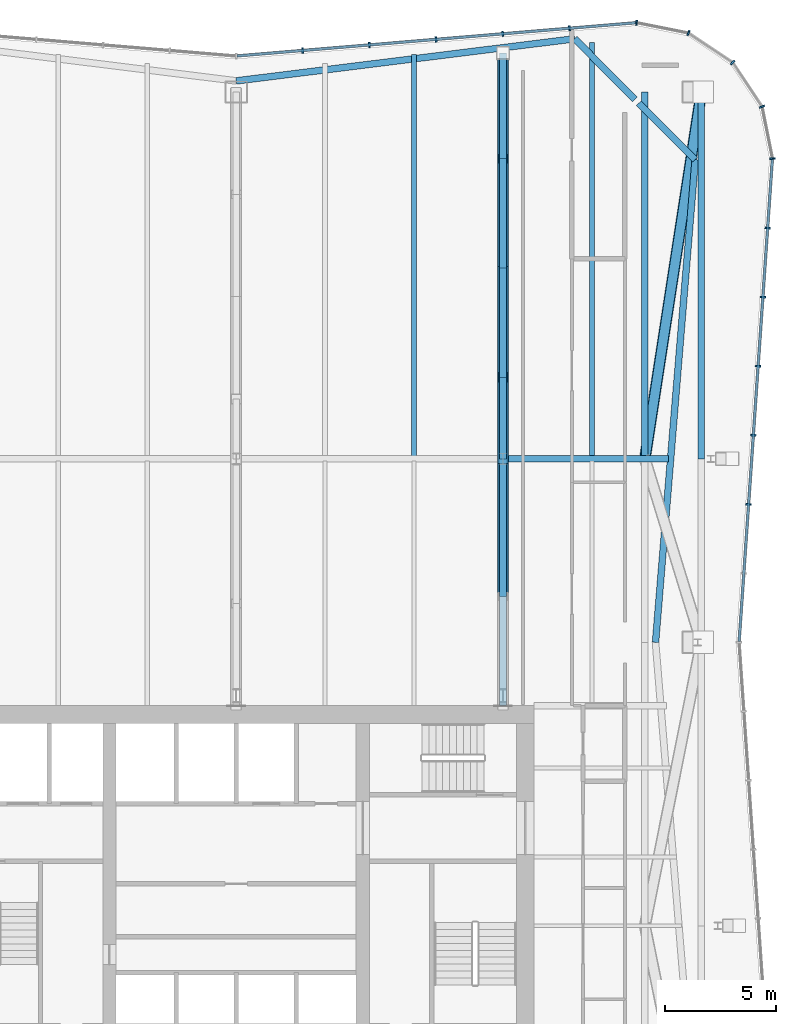
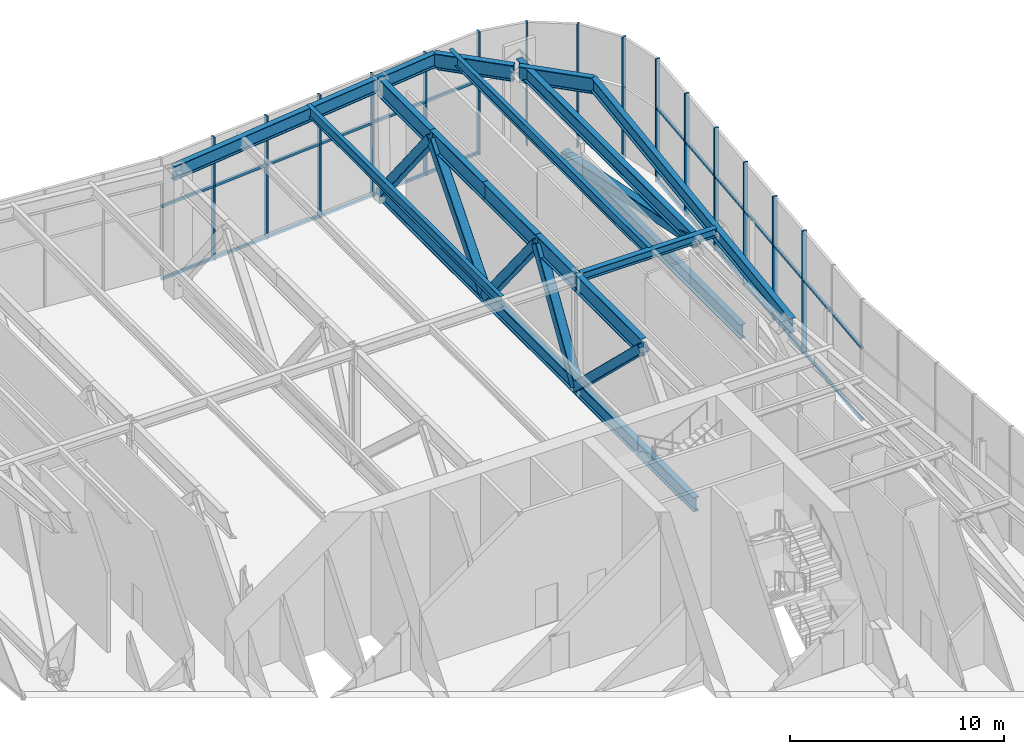
# One storey, part 9 of 17: 33 members, 7 beams, 3 elements without a shape of their own.
"""IFC4 building model written with IfcOpenShell, lengths in metres."""

from ifc_helpers import new_model, si_unit, direction, frame, origin, origin_2d, place, context, subcontext, project, spatial, rectangle, hollow_rectangle, i_section, extrude, material, material_profile, profile_set, type_object, element, aggregate, save


model = new_model("IFC4")

# Units and contexts
model_context = context("Model", 3, precision=1e-05, world=origin(), true_north=direction((0.0, 1.0)))
body_context = subcontext(model_context, "Body", "Model", "MODEL_VIEW")
ifc_project = project(units=[si_unit("LENGTHUNIT", "METRE"), si_unit("AREAUNIT", "SQUARE_METRE"), si_unit("VOLUMEUNIT", "CUBIC_METRE"), si_unit("PLANEANGLEUNIT", "RADIAN"), si_unit("MASSUNIT", "GRAM", prefix="KILO")], contexts=[model_context])

# Site, building, storey
site_placement = place(None, origin())
site = spatial("IfcSite", under=ifc_project, at=site_placement, CompositionType="ELEMENT")
building_placement = place(site_placement, origin())
building = spatial("IfcBuilding", under=site, at=building_placement, Name="Verdant Reach Tower", CompositionType="ELEMENT")
storey_placement = place(building_placement, frame((0.0, 0.0, 282.0)))
storey = spatial("IfcBuildingStorey", under=building, at=storey_placement, Name="L65 Plant", CompositionType="ELEMENT", Elevation=282.0)

# Curtain wall, members
ifc_material_1 = material(Name="Anodised aluminium", Category="aluminium")
curtain_wall_type = type_object("IfcCurtainWallType", Name="EN-CW SYSTEM PLANT", PredefinedType="NOTDEFINED", material=ifc_material_1)
curtain_wall_1_placement = place(storey_placement, origin())
curtain_wall_1 = element("IfcCurtainWall", 1, at=curtain_wall_1_placement, inside=storey, type_object=curtain_wall_type, Name="Curtain wall east, L65", PredefinedType="NOTDEFINED")
ifc_material_profile_1 = material_profile(ifc_material_1, rectangle(XDim=0.238037109375, YDim=0.080078125, at=origin_2d()), Name="Mullion 80x240")
ifc_profile_set_1 = profile_set([ifc_material_profile_1], Name="Anodised aluminium")
member_type_1 = type_object("IfcMemberType", Name="EN-MULLION PLANT", PredefinedType="MULLION", material=ifc_profile_set_1)
member_1_placement = place(storey_placement, frame((23.04736328125, 47.4560546875, -0.35009765625), z_axis=(0.0, 0.0, 1.0), x_axis=(0.997630328423, -0.068802091615, 0.0)))
member_1 = element("IfcMember", 2, at=member_1_placement, type_object=member_type_1, Name="Mullion east face part 2 3, L65", PredefinedType="MULLION", context=body_context, shape_type="SweptSolid", body=[
    extrude(rectangle(XDim=0.238037109375, YDim=0.080078125, at=origin_2d()), origin(), (0.0, 0.0, 1.0), 7.0),
])
member_2_placement = place(storey_placement, frame((23.261474609375, 50.563232421875, -0.35009765625), z_axis=(0.0, 0.0, 1.0), x_axis=(0.997630328423, -0.068802091615, 0.0)))
member_2 = element("IfcMember", 3, at=member_2_placement, type_object=member_type_1, Name="Mullion east face part 2 4, L65", PredefinedType="MULLION", context=body_context, shape_type="SweptSolid", body=[
    extrude(rectangle(XDim=0.238037109375, YDim=0.080078125, at=origin_2d()), origin(), (0.0, 0.0, 1.0), 7.0),
])
member_3_placement = place(storey_placement, frame((23.475830078125, 53.67041015625, -0.35009765625), z_axis=(0.0, 0.0, 1.0), x_axis=(0.997630328423, -0.068802091615, 0.0)))
member_3 = element("IfcMember", 4, at=member_3_placement, type_object=member_type_1, Name="Mullion east face part 2 5, L65", PredefinedType="MULLION", context=body_context, shape_type="SweptSolid", body=[
    extrude(rectangle(XDim=0.238037109375, YDim=0.080078125, at=origin_2d()), origin(), (0.0, 0.0, 1.0), 7.0),
])
member_4_placement = place(storey_placement, frame((23.690185546875, 56.777587890625, -0.35009765625), z_axis=(0.0, 0.0, 1.0), x_axis=(0.997630328423, -0.068802091615, 0.0)))
member_4 = element("IfcMember", 5, at=member_4_placement, type_object=member_type_1, Name="Mullion east face part 2 6, L65", PredefinedType="MULLION", context=body_context, shape_type="SweptSolid", body=[
    extrude(rectangle(XDim=0.238037109375, YDim=0.080078125, at=origin_2d()), origin(), (0.0, 0.0, 1.0), 7.0),
])
member_5_placement = place(storey_placement, frame((23.904541015625, 59.884765625, -0.35009765625), z_axis=(0.0, 0.0, 1.0), x_axis=(0.997630328423, -0.068802091615, 0.0)))
member_5 = element("IfcMember", 6, at=member_5_placement, type_object=member_type_1, Name="Mullion east face part 2 7, L65", PredefinedType="MULLION", context=body_context, shape_type="SweptSolid", body=[
    extrude(rectangle(XDim=0.238037109375, YDim=0.080078125, at=origin_2d()), origin(), (0.0, 0.0, 1.0), 7.0),
])

curtain_wall_2_placement = place(storey_placement, origin())
curtain_wall_2 = element("IfcCurtainWall", 7, at=curtain_wall_2_placement, inside=storey, type_object=curtain_wall_type, Name="Curtain wall north-east corner, L65", PredefinedType="NOTDEFINED")
member_6_placement = place(storey_placement, frame((24.11865234375, 63.007568359375, -0.35009765625), z_axis=(0.0, 0.0, 1.0), x_axis=(0.997969180898, 0.063698618332, 0.0)))
member_6 = element("IfcMember", 8, at=member_6_placement, type_object=member_type_1, Name="Mullion north-east corner 1, L65", PredefinedType="MULLION", context=body_context, shape_type="SweptSolid", body=[
    extrude(rectangle(XDim=0.238037109375, YDim=0.080078125, at=origin_2d()), origin(), (0.0, 0.0, 1.0), 7.0),
])
member_7_placement = place(storey_placement, frame((23.6533203125, 65.341552734375, -0.35009765625), z_axis=(0.0, 0.0, 1.0), x_axis=(0.923875215753, 0.382693853776, 0.0)))
member_7 = element("IfcMember", 9, at=member_7_placement, type_object=member_type_1, Name="Mullion north-east corner 2, L65", PredefinedType="MULLION", context=body_context, shape_type="SweptSolid", body=[
    extrude(rectangle(XDim=0.238037109375, YDim=0.080078125, at=origin_2d()), origin(), (0.0, 0.0, 1.0), 7.0),
])
member_8_placement = place(storey_placement, frame((22.32666015625, 67.32666015625, -0.35009765625), z_axis=(0.0, 0.0, 1.0), x_axis=(0.707106781187, 0.707106781187, 0.0)))
member_8 = element("IfcMember", 10, at=member_8_placement, type_object=member_type_1, Name="Mullion north-east corner 3, L65", PredefinedType="MULLION", context=body_context, shape_type="SweptSolid", body=[
    extrude(rectangle(XDim=0.238037109375, YDim=0.080078125, at=origin_2d()), origin(), (0.0, 0.0, 1.0), 7.0),
])
member_9_placement = place(storey_placement, frame((20.341552734375, 68.6533203125, -0.35009765625), z_axis=(0.0, 0.0, 1.0), x_axis=(0.382693853776, 0.923875215753, 0.0)))
member_9 = element("IfcMember", 11, at=member_9_placement, type_object=member_type_1, Name="Mullion north-east corner 4, L65", PredefinedType="MULLION", context=body_context, shape_type="SweptSolid", body=[
    extrude(rectangle(XDim=0.238037109375, YDim=0.080078125, at=origin_2d()), origin(), (0.0, 0.0, 1.0), 7.0),
])
aggregate(curtain_wall_2, [member_6, member_7, member_8, member_9])

curtain_wall_3_placement = place(storey_placement, origin())
curtain_wall_3 = element("IfcCurtainWall", 12, at=curtain_wall_3_placement, inside=storey, type_object=curtain_wall_type, Name="Curtain wall north, L65", PredefinedType="NOTDEFINED")
member_10_placement = place(storey_placement, frame((18.0068359375, 69.118896484375, -0.35009765625), z_axis=(0.0, 0.0, 1.0), x_axis=(0.056569187765, 0.998398681387, 0.0)))
member_10 = element("IfcMember", 13, at=member_10_placement, type_object=member_type_1, Name="Mullion north face part 1 1, L65", PredefinedType="MULLION", context=body_context, shape_type="SweptSolid", body=[
    extrude(rectangle(XDim=0.238037109375, YDim=0.080078125, at=origin_2d()), origin(), (0.0, 0.0, 1.0), 7.0),
])
member_11_placement = place(storey_placement, frame((14.990234375, 68.86865234375, -0.35009765625), z_axis=(0.0, 0.0, 1.0), x_axis=(-0.083045479859, 0.996545758244, 0.0)))
member_11 = element("IfcMember", 14, at=member_11_placement, type_object=member_type_1, Name="Mullion north face part 1 2, L65", PredefinedType="MULLION", context=body_context, shape_type="SweptSolid", body=[
    extrude(rectangle(XDim=0.238037109375, YDim=0.080078125, at=origin_2d()), origin(), (0.0, 0.0, 1.0), 7.0),
])
member_12_placement = place(storey_placement, frame((11.990234375, 68.61865234375, -0.35009765625), z_axis=(0.0, 0.0, 1.0), x_axis=(-0.083045479859, 0.996545758244, 0.0)))
member_12 = element("IfcMember", 15, at=member_12_placement, type_object=member_type_1, Name="Mullion north face part 1 3, L65", PredefinedType="MULLION", context=body_context, shape_type="SweptSolid", body=[
    extrude(rectangle(XDim=0.238037109375, YDim=0.080078125, at=origin_2d()), origin(), (0.0, 0.0, 1.0), 7.0),
])
member_13_placement = place(storey_placement, frame((8.990234375, 68.36865234375, -0.35009765625), z_axis=(0.0, 0.0, 1.0), x_axis=(-0.083045479859, 0.996545758244, 0.0)))
member_13 = element("IfcMember", 16, at=member_13_placement, type_object=member_type_1, Name="Mullion north face part 1 4, L65", PredefinedType="MULLION", context=body_context, shape_type="SweptSolid", body=[
    extrude(rectangle(XDim=0.238037109375, YDim=0.080078125, at=origin_2d()), origin(), (0.0, 0.0, 1.0), 7.0),
])
member_14_placement = place(storey_placement, frame((5.990234375, 68.11865234375, -0.35009765625), z_axis=(0.0, 0.0, 1.0), x_axis=(-0.083045479859, 0.996545758244, 0.0)))
member_14 = element("IfcMember", 17, at=member_14_placement, type_object=member_type_1, Name="Mullion north face part 1 5, L65", PredefinedType="MULLION", context=body_context, shape_type="SweptSolid", body=[
    extrude(rectangle(XDim=0.238037109375, YDim=0.080078125, at=origin_2d()), origin(), (0.0, 0.0, 1.0), 7.0),
])
member_15_placement = place(storey_placement, frame((2.990234375, 67.86865234375, -0.35009765625), z_axis=(0.0, 0.0, 1.0), x_axis=(-0.083045479859, 0.996545758244, 0.0)))
member_15 = element("IfcMember", 18, at=member_15_placement, type_object=member_type_1, Name="Mullion north face part 1 6, L65", PredefinedType="MULLION", context=body_context, shape_type="SweptSolid", body=[
    extrude(rectangle(XDim=0.238037109375, YDim=0.080078125, at=origin_2d()), origin(), (0.0, 0.0, 1.0), 7.0),
])

# Member
ifc_material_profile_2 = material_profile(ifc_material_1, rectangle(XDim=0.1201171875, YDim=0.14990234375, at=origin_2d()), Name="Transom 150x120")
ifc_profile_set_2 = profile_set([ifc_material_profile_2], Name="Anodised aluminium")
member_type_2 = type_object("IfcMemberType", Name="EN-TRANSOM PLANT", PredefinedType="USERDEFINED", material=ifc_profile_set_2)
member_16_placement = place(storey_placement, frame((22.621826171875, 41.289794921875, -0.27490234375), z_axis=(0.068761218296, 0.997633146431, 0.0), x_axis=(-0.997633146431, 0.068761218296, 0.0)))
member_16 = element("IfcMember", 19, at=member_16_placement, type_object=member_type_2, Name="Transom east face part 2 1.1, L65", ObjectType="TRANSOM", PredefinedType="USERDEFINED", context=body_context, shape_type="SweptSolid", body=[
    extrude(rectangle(XDim=0.1201171875, YDim=0.14990234375, at=origin_2d()), origin(), (0.0, 0.0, 1.0), 21.7294921875),
])

member_17_placement = place(storey_placement, frame((22.621826171875, 41.289794921875, 3.85009765625), z_axis=(0.068761218296, 0.997633146431, 0.0), x_axis=(-0.997633146431, 0.068761218296, 0.0)))
member_17 = element("IfcMember", 20, at=member_17_placement, type_object=member_type_2, Name="Transom east face part 2 1.2, L65", ObjectType="TRANSOM", PredefinedType="USERDEFINED", context=body_context, shape_type="SweptSolid", body=[
    extrude(rectangle(XDim=0.1201171875, YDim=0.14990234375, at=origin_2d()), origin(), (0.0, 0.0, 1.0), 21.7294921875),
])

aggregate(curtain_wall_1, [member_1, member_2, member_3, member_4, member_5, member_16, member_17])

member_18_placement = place(storey_placement, frame((17.966796875, 69.115478515625, -0.27490234375), z_axis=(-0.996549220477, -0.083003922598, 0.0), x_axis=(0.083003922598, -0.996549220477, 0.0)))
member_18 = element("IfcMember", 21, at=member_18_placement, type_object=member_type_2, Name="Transom north face part 1 1.1, L65", ObjectType="TRANSOM", PredefinedType="USERDEFINED", context=body_context, shape_type="SweptSolid", body=[
    extrude(rectangle(XDim=0.1201171875, YDim=0.14990234375, at=origin_2d()), origin(), (0.0, 0.0, 1.0), 17.989013671875),
])

member_19_placement = place(storey_placement, frame((17.966796875, 69.115478515625, 3.85009765625), z_axis=(-0.996549220477, -0.083003922598, 0.0), x_axis=(0.083003922598, -0.996549220477, 0.0)))
member_19 = element("IfcMember", 22, at=member_19_placement, type_object=member_type_2, Name="Transom north face part 1 1.2, L65", ObjectType="TRANSOM", PredefinedType="USERDEFINED", context=body_context, shape_type="SweptSolid", body=[
    extrude(rectangle(XDim=0.1201171875, YDim=0.14990234375, at=origin_2d()), origin(), (0.0, 0.0, 1.0), 17.989013671875),
])

aggregate(curtain_wall_3, [member_10, member_11, member_12, member_13, member_14, member_15, member_18, member_19])

# Beams
ifc_material_2 = material(Name="Steel S355", Category="steel")
ifc_material_profile_3 = material_profile(ifc_material_2, i_section(OverallWidth=0.300048828125, OverallDepth=0.489990234375, WebThickness=0.011962890625, FlangeThickness=0.02294921875, FilletRadius=0.027099609375, at=origin_2d()), Name="HEA 500")
ifc_profile_set_3 = profile_set([ifc_material_profile_3], Name="Steel S355")
beam_type_1 = type_object("IfcBeamType", Name="ST-BEAM-HEA500", PredefinedType="BEAM", material=ifc_profile_set_3)
beam_1_placement = place(storey_placement, frame((12.153076171875, 49.5, 6.625), z_axis=(1.0, 0.0, 0.0), x_axis=(0.0, 1.0, 0.0)))
element("IfcBeam", 23, at=beam_1_placement, inside=storey, type_object=beam_type_1, Name="Row girder, L65 Plant", PredefinedType="BEAM", context=body_context, shape_type="SweptSolid", body=[
    extrude(i_section(OverallWidth=0.300048828125, OverallDepth=0.489990234375, WebThickness=0.011962890625, FlangeThickness=0.02294921875, FilletRadius=0.027099609375, at=origin_2d()), origin(), (0.0, 0.0, 1.0), 7.29541015625),
])
ifc_material_profile_4 = material_profile(ifc_material_2, i_section(OverallWidth=0.219970703125, OverallDepth=0.60009765625, WebThickness=0.011962890625, FlangeThickness=0.01904296875, FilletRadius=0.02392578125, at=origin_2d()), Name="IPE 600")
ifc_profile_set_4 = profile_set([ifc_material_profile_4], Name="Steel S355")
beam_type_2 = type_object("IfcBeamType", Name="ST-JOIST-IPE600", PredefinedType="JOIST", material=ifc_profile_set_4)
beam_2_placement = place(storey_placement, frame((8.0, 49.60009765625, 6.570068359375), z_axis=(0.0, 1.0, 0.0), x_axis=(-1.0, 0.0, 0.0)))
element("IfcBeam", 24, at=beam_2_placement, inside=storey, type_object=beam_type_2, Name="Floor joist, L65 Plant", PredefinedType="JOIST", context=body_context, shape_type="SweptSolid", body=[
    extrude(i_section(OverallWidth=0.219970703125, OverallDepth=0.60009765625, WebThickness=0.011962890625, FlangeThickness=0.01904296875, FilletRadius=0.02392578125, at=origin_2d()), origin(), (0.0, 0.0, 1.0), 18.083984375),
])
beam_3_placement = place(storey_placement, frame((16.0, 49.60009765625, 6.570068359375), z_axis=(0.0, 1.0, 0.0), x_axis=(-1.0, 0.0, 0.0)))
element("IfcBeam", 25, at=beam_3_placement, inside=storey, type_object=beam_type_2, Name="Floor joist, L65 Plant", PredefinedType="JOIST", context=body_context, shape_type="SweptSolid", body=[
    extrude(i_section(OverallWidth=0.219970703125, OverallDepth=0.60009765625, WebThickness=0.011962890625, FlangeThickness=0.01904296875, FilletRadius=0.02392578125, at=origin_2d()), origin(), (0.0, 0.0, 1.0), 18.638916015625),
])
ifc_material_profile_5 = material_profile(ifc_material_2, i_section(OverallWidth=0.300048828125, OverallDepth=0.800048828125, WebThickness=0.017578125, FlangeThickness=0.032958984375, FilletRadius=0.030029296875, at=origin_2d()), Name="HEB 800")
ifc_profile_set_5 = profile_set([ifc_material_profile_5], Name="Steel S355")
beam_type_3 = type_object("IfcBeamType", Name="ST-SPANDREL-HEB800", PredefinedType="SPANDREL", material=ifc_profile_set_5)
beam_4_placement = place(storey_placement, frame((0.0, 66.5, 6.469970703125), z_axis=(0.992343855577, 0.123505758163, 0.0), x_axis=(-0.123505758163, 0.992343855577, 0.0)))
element("IfcBeam", 26, at=beam_4_placement, inside=storey, type_object=beam_type_3, Name="Edge beam, L65 Plant", PredefinedType="SPANDREL", context=body_context, shape_type="SweptSolid", body=[
    extrude(i_section(OverallWidth=0.300048828125, OverallDepth=0.800048828125, WebThickness=0.017578125, FlangeThickness=0.032958984375, FilletRadius=0.030029296875, at=origin_2d()), origin(), (0.0, 0.0, 1.0), 15.337646484375),
])
beam_5_placement = place(storey_placement, frame((20.64599609375, 62.96142578125, 6.469970703125), z_axis=(-0.08193431302, -0.996637731751, 0.0), x_axis=(0.996637731751, -0.08193431302, 0.0)))
element("IfcBeam", 27, at=beam_5_placement, inside=storey, type_object=beam_type_3, Name="Edge beam, L65 Plant", PredefinedType="SPANDREL", context=body_context, shape_type="SweptSolid", body=[
    extrude(i_section(OverallWidth=0.300048828125, OverallDepth=0.800048828125, WebThickness=0.017578125, FlangeThickness=0.032958984375, FilletRadius=0.030029296875, at=origin_2d()), origin(), (0.0, 0.0, 1.0), 21.78466796875),
])
ifc_material_profile_6 = material_profile(ifc_material_2, i_section(OverallWidth=0.302001953125, OverallDepth=0.909912109375, WebThickness=0.02099609375, FlangeThickness=0.0400390625, FilletRadius=0.030029296875, at=origin_2d()), Name="HEM 900")
ifc_profile_set_6 = profile_set([ifc_material_profile_6], Name="Steel S355")
beam_type_4 = type_object("IfcBeamType", Name="ST-SPANDREL-HEM900", PredefinedType="SPANDREL", material=ifc_profile_set_6)
beam_6_placement = place(storey_placement, frame((15.22021484375, 68.394287109375, 6.4150390625), z_axis=(0.706630668602, -0.707582573409, 0.0), x_axis=(0.707582573409, 0.706630668602, 0.0)))
element("IfcBeam", 28, at=beam_6_placement, inside=storey, type_object=beam_type_4, Name="Edge beam, L65 Plant", PredefinedType="SPANDREL", context=body_context, shape_type="SweptSolid", body=[
    extrude(i_section(OverallWidth=0.302001953125, OverallDepth=0.909912109375, WebThickness=0.02099609375, FlangeThickness=0.0400390625, FilletRadius=0.030029296875, at=origin_2d()), origin(), (0.0, 0.0, 1.0), 3.84716796875),
])
beam_7_placement = place(storey_placement, frame((18.110595703125, 65.5, 6.4150390625), z_axis=(0.706664339704, -0.707548946003, 0.0), x_axis=(0.707548946003, 0.706664339704, 0.0)))
element("IfcBeam", 29, at=beam_7_placement, inside=storey, type_object=beam_type_4, Name="Edge beam, L65 Plant", PredefinedType="SPANDREL", context=body_context, shape_type="SweptSolid", body=[
    extrude(i_section(OverallWidth=0.302001953125, OverallDepth=0.909912109375, WebThickness=0.02099609375, FlangeThickness=0.0400390625, FilletRadius=0.030029296875, at=origin_2d()), origin(), (0.0, 0.0, 1.0), 3.587890625),
])

# Members
ifc_material_3 = material(Name="Steel S460", Category="steel")
ifc_material_profile_7 = material_profile(ifc_material_3, hollow_rectangle(XDim=0.5, YDim=0.5, WallThickness=0.02490234375, InnerFilletRadius=0.02490234375, OuterFilletRadius=0.050048828125, at=origin_2d()), Name="RHS 500x500x25")
ifc_profile_set_7 = profile_set([ifc_material_profile_7], Name="Steel S460")
member_type_3 = type_object("IfcMemberType", Name="ST-TRUSS-BRACE-RHS500x500x25", PredefinedType="BRACE", material=ifc_profile_set_7)
member_20_placement = place(storey_placement, frame((12.0, 43.321044921875, 6.365966796875), z_axis=(0.0, 0.719803184049, -0.694178202073), x_axis=(-1.0, 0.0, 0.0)))
element("IfcMember", 30, at=member_20_placement, inside=storey, type_object=member_type_3, Name="Belt truss E north, diagonal, L65 Plant", PredefinedType="BRACE", context=body_context, shape_type="SweptSolid", body=[
    extrude(hollow_rectangle(XDim=0.5, YDim=0.5, WallThickness=0.02490234375, InnerFilletRadius=0.02490234375, OuterFilletRadius=0.050048828125, at=origin_2d()), origin(), (0.0, 0.0, 1.0), 8.584228515625),
])
member_21_placement = place(storey_placement, frame((12.0, 49.5, 0.406982421875), z_axis=(0.0, 0.52368452009, 0.851912274485), x_axis=(-1.0, 0.0, 0.0)))
element("IfcMember", 31, at=member_21_placement, inside=storey, type_object=member_type_3, Name="Belt truss E north, diagonal, L65 Plant", PredefinedType="BRACE", context=body_context, shape_type="SweptSolid", body=[
    extrude(hollow_rectangle(XDim=0.5, YDim=0.5, WallThickness=0.02490234375, InnerFilletRadius=0.02490234375, OuterFilletRadius=0.050048828125, at=origin_2d()), origin(), (0.0, 0.0, 1.0), 6.994873046875),
])
member_22_placement = place(storey_placement, frame((12.0, 53.1630859375, 6.365966796875), z_axis=(0.0, 0.627600316274, -0.778535704392), x_axis=(-1.0, 0.0, 0.0)))
element("IfcMember", 32, at=member_22_placement, inside=storey, type_object=member_type_3, Name="Belt truss E north, diagonal, L65 Plant", PredefinedType="BRACE", context=body_context, shape_type="SweptSolid", body=[
    extrude(hollow_rectangle(XDim=0.5, YDim=0.5, WallThickness=0.02490234375, InnerFilletRadius=0.02490234375, OuterFilletRadius=0.050048828125, at=origin_2d()), origin(), (0.0, 0.0, 1.0), 7.654052734375),
])
member_23_placement = place(storey_placement, frame((12.0, 57.966796875, 0.406982421875), z_axis=(0.0, 0.645670124482, 0.763616455003), x_axis=(-1.0, 0.0, 0.0)))
element("IfcMember", 33, at=member_23_placement, inside=storey, type_object=member_type_3, Name="Belt truss E north, diagonal, L65 Plant", PredefinedType="BRACE", context=body_context, shape_type="SweptSolid", body=[
    extrude(hollow_rectangle(XDim=0.5, YDim=0.5, WallThickness=0.02490234375, InnerFilletRadius=0.02490234375, OuterFilletRadius=0.050048828125, at=origin_2d()), origin(), (0.0, 0.0, 1.0), 7.8037109375),
])
member_24_placement = place(storey_placement, frame((12.0, 63.00537109375, 6.365966796875), z_axis=(0.0, 0.622907167699, -0.782295762758), x_axis=(-1.0, 0.0, 0.0)))
element("IfcMember", 34, at=member_24_placement, inside=storey, type_object=member_type_3, Name="Belt truss E north, diagonal, L65 Plant", PredefinedType="BRACE", context=body_context, shape_type="SweptSolid", body=[
    extrude(hollow_rectangle(XDim=0.5, YDim=0.5, WallThickness=0.02490234375, InnerFilletRadius=0.02490234375, OuterFilletRadius=0.050048828125, at=origin_2d()), origin(), (0.0, 0.0, 1.0), 7.6171875),
])
member_25_placement = place(storey_placement, frame((18.3818359375, 49.5, 6.462890625), z_axis=(0.143070088636, 0.929110105735, -0.341006394602), x_axis=(-0.988350893535, 0.152192349506, 0.0)))
element("IfcMember", 35, at=member_25_placement, inside=storey, type_object=member_type_3, Name="Belt truss F east, diagonal, L65 Plant", PredefinedType="BRACE", context=body_context, shape_type="SweptSolid", body=[
    extrude(hollow_rectangle(XDim=0.5, YDim=0.5, WallThickness=0.02490234375, InnerFilletRadius=0.02490234375, OuterFilletRadius=0.050048828125, at=origin_2d()), origin(), (0.0, 0.0, 1.0), 17.759033203125),
])
ifc_material_profile_8 = material_profile(ifc_material_3, i_section(OverallWidth=0.302001953125, OverallDepth=1.008056640625, WebThickness=0.02099609375, FlangeThickness=0.0400390625, FilletRadius=0.030029296875, at=origin_2d()), Name="HEM 1000")
ifc_profile_set_8 = profile_set([ifc_material_profile_8], Name="Steel S460")
member_type_4 = type_object("IfcMemberType", Name="ST-TRUSS-CHORD-HEM1000", PredefinedType="CHORD", material=ifc_profile_set_8)
member_26_placement = place(storey_placement, frame((12.0, 43.321044921875, 6.365966796875), z_axis=(0.0, 1.0, 0.0), x_axis=(-1.0, 0.0, 0.0)))
element("IfcMember", 36, at=member_26_placement, inside=storey, type_object=member_type_4, Name="Belt truss E north, top chord, L65 Plant", PredefinedType="CHORD", context=body_context, shape_type="SweptSolid", body=[
    extrude(i_section(OverallWidth=0.302001953125, OverallDepth=1.008056640625, WebThickness=0.02099609375, FlangeThickness=0.0400390625, FilletRadius=0.030029296875, at=origin_2d()), origin(), (0.0, 0.0, 1.0), 6.178955078125),
])
member_27_placement = place(storey_placement, frame((12.0, 49.5, 6.365966796875), z_axis=(0.0, 1.0, 0.0), x_axis=(-1.0, 0.0, 0.0)))
element("IfcMember", 37, at=member_27_placement, inside=storey, type_object=member_type_4, Name="Belt truss E north, top chord, L65 Plant", PredefinedType="CHORD", context=body_context, shape_type="SweptSolid", body=[
    extrude(i_section(OverallWidth=0.302001953125, OverallDepth=1.008056640625, WebThickness=0.02099609375, FlangeThickness=0.0400390625, FilletRadius=0.030029296875, at=origin_2d()), origin(), (0.0, 0.0, 1.0), 3.6630859375),
])
for number, where, z_axis, x_axis, name in (
    (38, (12.0, 53.1630859375, 6.365966796875), (0.0, 1.0, 0.0), (-1.0, 0.0, 0.0), "Belt truss E north, top chord, L65 Plant"),
    (39, (12.0, 58.084228515625, 6.365966796875), (0.0, 1.0, 0.0), (-1.0, 0.0, 0.0), "Belt truss E north, top chord, L65 Plant"),
):
    element("IfcMember", number, at=place(storey_placement, frame(where, z_axis=z_axis, x_axis=x_axis)), inside=storey, type_object=member_type_4, Name=name, PredefinedType="CHORD", context=body_context, shape_type="SweptSolid", body=[
        extrude(i_section(OverallWidth=0.302001953125, OverallDepth=1.008056640625, WebThickness=0.02099609375, FlangeThickness=0.0400390625, FilletRadius=0.030029296875, at=origin_2d()), origin(), (0.0, 0.0, 1.0), 4.921142578125),
    ])
member_28_placement = place(storey_placement, frame((12.0, 63.00537109375, 6.365966796875), z_axis=(0.0, 1.0, 0.0), x_axis=(-1.0, 0.0, 0.0)))
element("IfcMember", 40, at=member_28_placement, inside=storey, type_object=member_type_4, Name="Belt truss E north, top chord, L65 Plant", PredefinedType="CHORD", context=body_context, shape_type="SweptSolid", body=[
    extrude(i_section(OverallWidth=0.302001953125, OverallDepth=1.008056640625, WebThickness=0.02099609375, FlangeThickness=0.0400390625, FilletRadius=0.030029296875, at=origin_2d()), origin(), (0.0, 0.0, 1.0), 4.9208984375),
])
ifc_material_profile_9 = material_profile(ifc_material_3, i_section(OverallWidth=0.302978515625, OverallDepth=0.81396484375, WebThickness=0.02099609375, FlangeThickness=0.0400390625, FilletRadius=0.030029296875, at=origin_2d()), Name="HEM 800")
ifc_profile_set_9 = profile_set([ifc_material_profile_9], Name="Steel S460")
member_type_5 = type_object("IfcMemberType", Name="ST-TRUSS-CHORD-HEM800", PredefinedType="CHORD", material=ifc_profile_set_9)
member_29_placement = place(storey_placement, frame((12.0, 38.39990234375, 0.406982421875), z_axis=(0.0, 1.0, 0.0), x_axis=(-1.0, 0.0, 0.0)))
element("IfcMember", 41, at=member_29_placement, inside=storey, type_object=member_type_5, Name="Belt truss E north, bottom chord, L65 Plant", PredefinedType="CHORD", context=body_context, shape_type="SweptSolid", body=[
    extrude(i_section(OverallWidth=0.302978515625, OverallDepth=0.81396484375, WebThickness=0.02099609375, FlangeThickness=0.0400390625, FilletRadius=0.030029296875, at=origin_2d()), origin(), (0.0, 0.0, 1.0), 29.350341796875),
])
for number, where, z_axis, x_axis, name in (
    (42, (18.3818359375, 49.5, 6.462890625), (0.0, 1.0, 0.0), (-1.0, 0.0, 0.0), "Belt truss F east, top chord, L65 Plant"),
    (43, (20.922607421875, 49.5, 0.406982421875), (0.0, 1.0, 0.0), (-1.0, 0.0, 0.0), "Belt truss F east, bottom chord, L65 Plant"),
):
    element("IfcMember", number, at=place(storey_placement, frame(where, z_axis=z_axis, x_axis=x_axis)), inside=storey, type_object=member_type_5, Name=name, PredefinedType="CHORD", context=body_context, shape_type="SweptSolid", body=[
        extrude(i_section(OverallWidth=0.302978515625, OverallDepth=0.81396484375, WebThickness=0.02099609375, FlangeThickness=0.0400390625, FilletRadius=0.030029296875, at=origin_2d()), origin(), (0.0, 0.0, 1.0), 16.5),
    ])

save(model, "model.ifc")
